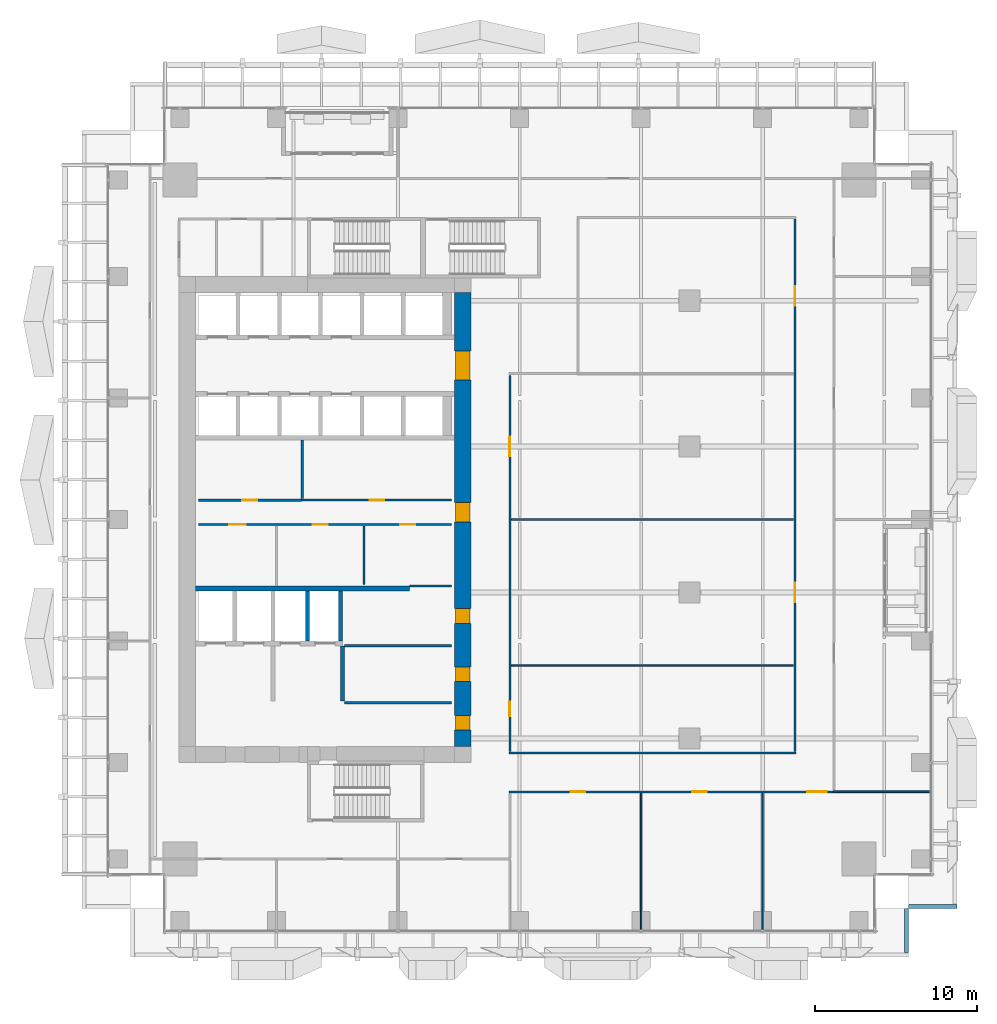
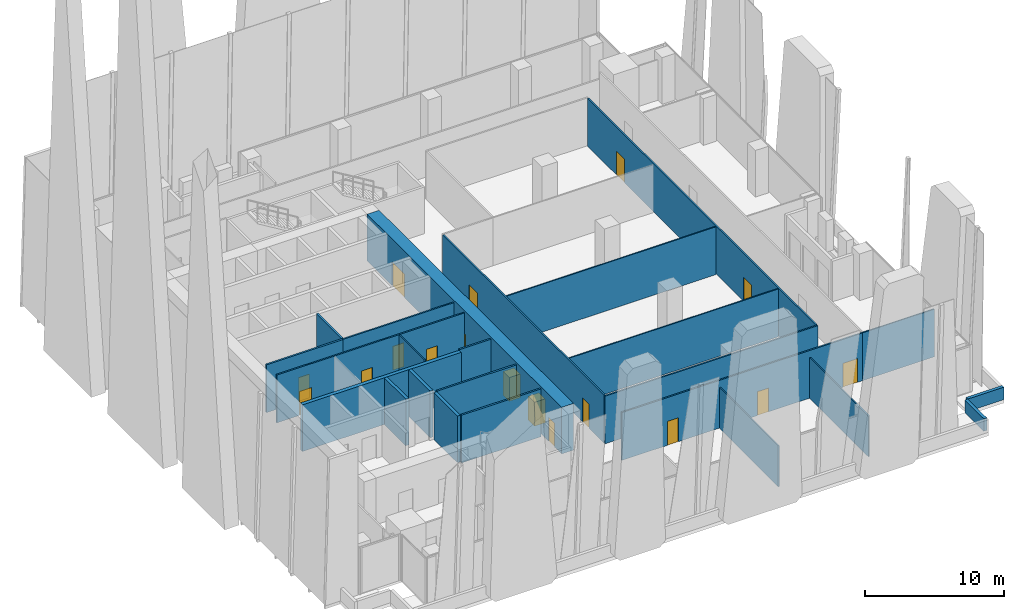
# One storey, part 29 of 37: 24 walls, 17 doors, 17 openings.
"""IFC4 building model written with IfcOpenShell, lengths in metres."""

from ifc_helpers import new_model, si_unit, direction, frame, frame_2d, origin, place, context, subcontext, project, spatial, rectangle, extrude, source, transform, mapped, material, layer, layer_set, type_object, element, fill, save


model = new_model("IFC4")

# Units and contexts
model_context = context("Model", 3, precision=1e-05, world=origin(), true_north=direction((0.0, 1.0)))
body_context = subcontext(model_context, "Body", "Model", "MODEL_VIEW")
ifc_project = project(units=[si_unit("LENGTHUNIT", "METRE"), si_unit("AREAUNIT", "SQUARE_METRE"), si_unit("VOLUMEUNIT", "CUBIC_METRE"), si_unit("PLANEANGLEUNIT", "RADIAN"), si_unit("MASSUNIT", "GRAM", prefix="KILO")], contexts=[model_context])

# Site, building, storey
site_placement = place(None, origin())
site = spatial("IfcSite", under=ifc_project, at=site_placement, CompositionType="ELEMENT")
building_placement = place(site_placement, origin())
building = spatial("IfcBuilding", under=site, at=building_placement, Name="Khomas Fold Tower", CompositionType="ELEMENT")
storey_placement = place(building_placement, frame((0.0, 0.0, 101.5)))
storey = spatial("IfcBuildingStorey", under=building, at=storey_placement, Name="L21", CompositionType="ELEMENT", Elevation=101.5)

# Wall, openings, doors
ifc_material_1 = material(Name="Concrete C70/85", Category="concrete")
ifc_layer_1 = layer(ifc_material_1, 1.0)
ifc_layer_set_1 = layer_set([ifc_layer_1], Name="Concrete C70/85")
wall_type_1 = type_object("IfcWallType", Name="Core wall 1000", PredefinedType="SHEAR", material=ifc_layer_set_1)
shared_shape_1 = source(origin(), body_context, "Body", "SweptSolid", [
    extrude(rectangle(XDim=28.0, YDim=1.0, at=frame_2d((14.0, 0.0))), origin(), (0.0, 0.0, 1.0), 4.10009765625),
])
wall_1_placement = place(storey_placement, frame((23.5, 13.0, 0.0), z_axis=(0.0, 0.0, 1.0), x_axis=(0.0, 1.0, 0.0)))
wall_1 = element("IfcWall", 1, at=wall_1_placement, inside=storey, type_object=wall_type_1, Name="Core wall CW-L-E-L21", PredefinedType="SHEAR", context=body_context, shape_type="MappedRepresentation", body=[
    mapped(shared_shape_1, transform((0.0, 0.0, 0.0))),
])
shared_shape_2 = source(origin(), body_context, "Body", "SweptSolid", [
    extrude(rectangle(XDim=1.800048828125, YDim=2.10009765625, at=frame_2d((0.89990234375, 1.050048828125))), frame((0.0, 0.510009765625, 0.0), z_axis=(0.0, -1.0, 0.0), x_axis=(1.0, 0.0, 0.0)), (0.0, 0.0, 1.0), 1.02001953125),
])
opening_1_placement = place(wall_1_placement, frame((22.60009765625, 0.0, 0.0)))
opening_1 = element("IfcOpeningElement", 2, at=opening_1_placement, cuts=wall_1, Name="Opening 0015", PredefinedType="OPENING", context=body_context, shape_type="MappedRepresentation", body=[
    mapped(shared_shape_2, transform((0.0, 0.0, 0.0))),
])
shared_shape_3 = source(origin(), body_context, "Body", "SweptSolid", [
    extrude(rectangle(XDim=1.199951171875, YDim=2.10009765625, at=frame_2d((0.60009765625, 1.050048828125))), frame((0.0, 0.510009765625, 0.0), z_axis=(0.0, -1.0, 0.0), x_axis=(1.0, 0.0, 0.0)), (0.0, 0.0, 1.0), 1.02001953125),
])
opening_2_placement = place(wall_1_placement, frame((13.85009765625, 0.0, 0.0)))
opening_2 = element("IfcOpeningElement", 3, at=opening_2_placement, cuts=wall_1, Name="Opening 0001", PredefinedType="OPENING", context=body_context, shape_type="MappedRepresentation", body=[
    mapped(shared_shape_3, transform((0.0, 0.0, 0.0))),
])
shared_shape_4 = source(origin(), body_context, "Body", "SweptSolid", [
    extrude(rectangle(XDim=0.89990234375, YDim=2.10009765625, at=frame_2d((0.449951171875, 1.050048828125))), frame((0.0, 0.510009765625, 0.0), z_axis=(0.0, -1.0, 0.0), x_axis=(1.0, 0.0, 0.0)), (0.0, 0.0, 1.0), 1.02001953125),
])
opening_3_placement = place(wall_1_placement, frame((1.0, 0.0, 0.0)))
opening_3 = element("IfcOpeningElement", 4, at=opening_3_placement, cuts=wall_1, Name="Opening 0008", PredefinedType="OPENING", context=body_context, shape_type="MappedRepresentation", body=[
    mapped(shared_shape_4, transform((0.0, 0.0, 0.0))),
])
opening_4_placement = place(wall_1_placement, frame((4.0, 0.0, 0.0)))
opening_4 = element("IfcOpeningElement", 5, at=opening_4_placement, cuts=wall_1, Name="Opening 0003", PredefinedType="OPENING", context=body_context, shape_type="MappedRepresentation", body=[
    mapped(shared_shape_4, transform((0.0, 0.0, 0.0))),
])
opening_5_placement = place(wall_1_placement, frame((7.60009765625, 0.0, 0.0)))
opening_5 = element("IfcOpeningElement", 6, at=opening_5_placement, cuts=wall_1, Name="Opening 0003", PredefinedType="OPENING", context=body_context, shape_type="MappedRepresentation", body=[
    mapped(shared_shape_4, transform((0.0, 0.0, 0.0))),
])
ifc_material_2 = material(Name="Steel door leaf", Category="steel")
door_type_1 = type_object("IfcDoorType", Name="Lobby door 1800x2100", OperationType="DOUBLE_DOOR_SINGLE_SWING", PredefinedType="DOOR", material=ifc_material_2)
shared_shape_5 = source(origin(), body_context, "Body", "SweptSolid", [
    extrude(rectangle(XDim=1.800048828125, YDim=2.10009765625, at=frame_2d((0.89990234375, 1.050048828125))), frame((0.0, 0.449951171875, 0.0), z_axis=(0.0, -1.0, 0.0), x_axis=(1.0, 0.0, 0.0)), (0.0, 0.0, 1.0), 0.89990234375),
])
door_1_placement = place(opening_1_placement, origin())
door_1 = element("IfcDoor", 7, at=door_1_placement, inside=storey, type_object=door_type_1, Name="Lobby door", OperationType="DOUBLE_DOOR_SINGLE_SWING", OverallHeight=2.10009765625, OverallWidth=1.800048828125, PredefinedType="DOOR", context=body_context, shape_type="MappedRepresentation", body=[
    mapped(shared_shape_5, transform((0.0, 0.0, 0.0))),
])
fill(opening_1, door_1)
ifc_material_3 = material(Name="Timber door leaf", Category="wood")
door_type_2 = type_object("IfcDoorType", Name="Door 1200x2100 right-hand", OperationType="SINGLE_SWING_RIGHT", PredefinedType="DOOR", material=ifc_material_3)
shared_shape_6 = source(origin(), body_context, "Body", "SweptSolid", [
    extrude(rectangle(XDim=1.199951171875, YDim=2.10009765625, at=frame_2d((0.60009765625, 1.050048828125))), frame((0.0, 0.449951171875, 0.0), z_axis=(0.0, -1.0, 0.0), x_axis=(1.0, 0.0, 0.0)), (0.0, 0.0, 1.0), 0.89990234375),
])
door_2_placement = place(opening_2_placement, origin())
door_2 = element("IfcDoor", 8, at=door_2_placement, inside=storey, type_object=door_type_2, Name="Door", OperationType="SINGLE_SWING_RIGHT", OverallHeight=2.10009765625, OverallWidth=1.199951171875, PredefinedType="DOOR", context=body_context, shape_type="MappedRepresentation", body=[
    mapped(shared_shape_6, transform((0.0, 0.0, 0.0))),
])
fill(opening_2, door_2)
ifc_material_4 = material(Name="Timber door leaf", Category="wood")
door_type_3 = type_object("IfcDoorType", Name="Door 900x2100 right-hand", OperationType="SINGLE_SWING_RIGHT", PredefinedType="DOOR", material=ifc_material_4)
shared_shape_7 = source(origin(), body_context, "Body", "SweptSolid", [
    extrude(rectangle(XDim=0.89990234375, YDim=2.10009765625, at=frame_2d((0.449951171875, 1.050048828125))), frame((0.0, 0.449951171875, 0.0), z_axis=(0.0, -1.0, 0.0), x_axis=(1.0, 0.0, 0.0)), (0.0, 0.0, 1.0), 0.89990234375),
])
door_3_placement = place(opening_3_placement, origin())
door_3 = element("IfcDoor", 9, at=door_3_placement, inside=storey, type_object=door_type_3, Name="Door", OperationType="SINGLE_SWING_RIGHT", OverallHeight=2.10009765625, OverallWidth=0.89990234375, PredefinedType="DOOR", context=body_context, shape_type="MappedRepresentation", body=[
    mapped(shared_shape_7, transform((0.0, 0.0, 0.0))),
])
fill(opening_3, door_3)
ifc_material_5 = material(Name="Steel door leaf", Category="steel")
door_type_4 = type_object("IfcDoorType", Name="Plant room door 900x2100 right-hand", OperationType="SINGLE_SWING_RIGHT", PredefinedType="DOOR", material=ifc_material_5)
door_4_placement = place(opening_4_placement, origin())
door_4 = element("IfcDoor", 10, at=door_4_placement, inside=storey, type_object=door_type_4, Name="Plant room door", OperationType="SINGLE_SWING_RIGHT", OverallHeight=2.10009765625, OverallWidth=0.89990234375, PredefinedType="DOOR", context=body_context, shape_type="MappedRepresentation", body=[
    mapped(shared_shape_7, transform((0.0, 0.0, 0.0))),
])
fill(opening_4, door_4)
door_5_placement = place(opening_5_placement, origin())
door_5 = element("IfcDoor", 11, at=door_5_placement, inside=storey, type_object=door_type_4, Name="Plant room door", OperationType="SINGLE_SWING_RIGHT", OverallHeight=2.10009765625, OverallWidth=0.89990234375, PredefinedType="DOOR", context=body_context, shape_type="MappedRepresentation", body=[
    mapped(shared_shape_7, transform((0.0, 0.0, 0.0))),
])
fill(opening_5, door_5)

# Walls
ifc_material_6 = material(Name="Concrete C50/60", Category="concrete")
ifc_layer_2 = layer(ifc_material_6, 0.300048828125)
ifc_layer_set_2 = layer_set([ifc_layer_2], Name="Concrete C50/60")
wall_type_2 = type_object("IfcWallType", Name="Shaft wall 300", PredefinedType="STANDARD", material=ifc_layer_set_2)
shared_shape_8 = source(origin(), body_context, "Body", "SweptSolid", [
    extrude(rectangle(XDim=13.199951171875, YDim=0.300048828125, at=frame_2d((6.60009765625, 0.0))), origin(), (0.0, 0.0, 1.0), 4.10009765625),
])
wall_2_placement = place(storey_placement, frame((7.0, 22.75, 0.0), z_axis=(0.0, 0.0, 1.0), x_axis=(1.0, 0.0, 0.0)))
element("IfcWall", 12, at=wall_2_placement, inside=storey, type_object=wall_type_2, Name="Core wall SW-FS-B", PredefinedType="STANDARD", context=body_context, shape_type="MappedRepresentation", body=[
    mapped(shared_shape_8, transform((0.0, 0.0, 0.0))),
])
ifc_material_7 = material(Name="Concrete C50/60", Category="concrete")
ifc_layer_3 = layer(ifc_material_7, 0.25)
ifc_layer_set_3 = layer_set([ifc_layer_3], Name="Concrete C50/60")
wall_type_3 = type_object("IfcWallType", Name="Shaft wall 250", PredefinedType="STANDARD", material=ifc_layer_set_3)
shared_shape_9 = source(origin(), body_context, "Body", "SweptSolid", [
    extrude(rectangle(XDim=3.10009765625, YDim=0.25, at=frame_2d((1.550048828125, 0.0))), origin(), (0.0, 0.0, 1.0), 4.10009765625),
])
for number, where, z_axis, x_axis, name in (
    (13, (13.925048828125, 19.5, 0.0), (0.0, 0.0, 1.0), (0.0, 1.0, 0.0), "Core wall SW-FS-P3"),
    (14, (15.949951171875, 19.5, 0.0), (0.0, 0.0, 1.0), (0.0, 1.0, 0.0), "Core wall SW-FS-PE"),
):
    element("IfcWall", number, at=place(storey_placement, frame(where, z_axis=z_axis, x_axis=x_axis)), inside=storey, type_object=wall_type_3, Name=name, PredefinedType="STANDARD", context=body_context, shape_type="MappedRepresentation", body=[
        mapped(shared_shape_9, transform((0.0, 0.0, 0.0))),
    ])
ifc_material_8 = material(Name="Concrete C50/60", Category="concrete")
ifc_layer_4 = layer(ifc_material_8, 0.25)
ifc_layer_set_4 = layer_set([ifc_layer_4], Name="Concrete C50/60")
wall_type_4 = type_object("IfcWallType", Name="Lobby wall 250", PredefinedType="STANDARD", material=ifc_layer_set_4)
shared_shape_10 = source(origin(), body_context, "Body", "SweptSolid", [
    extrude(rectangle(XDim=3.39990234375, YDim=0.25, at=frame_2d((1.699951171875, 0.0))), origin(), (0.0, 0.0, 1.0), 4.10009765625),
])
wall_3_placement = place(storey_placement, frame((16.074951171875, 15.800048828125, 0.0), z_axis=(0.0, 0.0, 1.0), x_axis=(0.0, 1.0, 0.0)))
element("IfcWall", 15, at=wall_3_placement, inside=storey, type_object=wall_type_4, Name="Core wall SW-FS-LOB-E", PredefinedType="STANDARD", context=body_context, shape_type="MappedRepresentation", body=[
    mapped(shared_shape_10, transform((0.0, 0.0, 0.0))),
])
ifc_material_9 = material(Name="Concrete C40/50", Category="concrete")
ifc_layer_5 = layer(ifc_material_9, 0.25)
ifc_layer_set_5 = layer_set([ifc_layer_5], Name="Concrete C40/50")
wall_type_5 = type_object("IfcWallType", Name="Setback roof parapet 250", PredefinedType="PARAPET", material=ifc_layer_set_5)
shared_shape_11 = source(origin(), body_context, "Body", "SweptSolid", [
    extrude(rectangle(XDim=3.0, YDim=0.25, at=frame_2d((1.5, 0.0))), origin(), (0.0, 0.0, 1.0), 1.10009765625),
])
wall_4_placement = place(storey_placement, frame((51.0, 3.125, 0.0), z_axis=(0.0, 0.0, 1.0), x_axis=(1.0, 0.0, 0.0)))
element("IfcWall", 16, at=wall_4_placement, inside=storey, type_object=wall_type_5, Name="Setback roof parapet", PredefinedType="SOLIDWALL", context=body_context, shape_type="MappedRepresentation", body=[
    mapped(shared_shape_11, transform((0.0, 0.0, 0.0))),
])
shared_shape_12 = source(origin(), body_context, "Body", "SweptSolid", [
    extrude(rectangle(XDim=2.72998046875, YDim=0.25, at=frame_2d((1.364990234375, 0.0))), origin(), (0.0, 0.0, 1.0), 1.10009765625),
])
wall_5_placement = place(storey_placement, frame((50.875, 0.27001953125, 0.0), z_axis=(0.0, 0.0, 1.0), x_axis=(0.0, 1.0, 0.0)))
element("IfcWall", 17, at=wall_5_placement, inside=storey, type_object=wall_type_5, Name="Setback roof parapet", PredefinedType="SOLIDWALL", context=body_context, shape_type="MappedRepresentation", body=[
    mapped(shared_shape_12, transform((0.0, 0.0, 0.0))),
])

# Wall, openings, doors
ifc_material_10 = material(Name="Plasterboard partition")
ifc_layer_6 = layer(ifc_material_10, 0.125)
ifc_layer_set_6 = layer_set([ifc_layer_6], Name="Plasterboard partition")
wall_type_6 = type_object("IfcWallType", Name="Partition PW2 125", PredefinedType="PARTITIONING", material=ifc_layer_set_6)
shared_shape_13 = source(origin(), body_context, "Body", "SweptSolid", [
    extrude(rectangle(XDim=15.60009765625, YDim=0.125, at=frame_2d((7.800048828125, 0.0))), origin(), (0.0, 0.0, 1.0), 4.199951171875),
])
wall_6_placement = place(storey_placement, frame((7.199951171875, 26.699951171875, 0.0), z_axis=(0.0, 0.0, 1.0), x_axis=(1.0, 0.0, 0.0)))
wall_6 = element("IfcWall", 18, at=wall_6_placement, inside=storey, type_object=wall_type_6, Name="Partition", PredefinedType="PARTITIONING", context=body_context, shape_type="MappedRepresentation", body=[
    mapped(shared_shape_13, transform((0.0, 0.0, 0.0))),
])
shared_shape_14 = source(origin(), body_context, "Body", "SweptSolid", [
    extrude(rectangle(XDim=1.0, YDim=2.10009765625, at=frame_2d((0.5, 1.050048828125))), frame((0.0, 0.072509765625, 0.0), z_axis=(0.0, -1.0, 0.0), x_axis=(1.0, 0.0, 0.0)), (0.0, 0.0, 1.0), 0.14501953125),
])
opening_6_placement = place(wall_6_placement, frame((1.89990234375, 0.0, 0.0)))
opening_6 = element("IfcOpeningElement", 19, at=opening_6_placement, cuts=wall_6, Name="Opening 0014", PredefinedType="OPENING", context=body_context, shape_type="MappedRepresentation", body=[
    mapped(shared_shape_14, transform((0.0, 0.0, 0.0))),
])
shared_shape_15 = source(origin(), body_context, "Body", "SweptSolid", [
    extrude(rectangle(XDim=0.89990234375, YDim=2.10009765625, at=frame_2d((0.449951171875, 1.050048828125))), frame((0.0, 0.072509765625, 0.0), z_axis=(0.0, -1.0, 0.0), x_axis=(1.0, 0.0, 0.0)), (0.0, 0.0, 1.0), 0.14501953125),
])
opening_7_placement = place(wall_6_placement, frame((7.050048828125, 0.0, 0.0)))
opening_7 = element("IfcOpeningElement", 20, at=opening_7_placement, cuts=wall_6, Name="Opening 0004", PredefinedType="OPENING", context=body_context, shape_type="MappedRepresentation", body=[
    mapped(shared_shape_15, transform((0.0, 0.0, 0.0))),
])
opening_8_placement = place(wall_6_placement, frame((12.449951171875, 0.0, 0.0)))
opening_8 = element("IfcOpeningElement", 21, at=opening_8_placement, cuts=wall_6, Name="Opening 0005", PredefinedType="OPENING", context=body_context, shape_type="MappedRepresentation", body=[
    mapped(shared_shape_15, transform((0.0, 0.0, 0.0))),
])
ifc_material_11 = material(Name="Timber door leaf", Category="wood")
door_type_5 = type_object("IfcDoorType", Name="WC door 900x2100 right-hand", OperationType="SINGLE_SWING_RIGHT", PredefinedType="DOOR", material=ifc_material_11)
shared_shape_16 = source(origin(), body_context, "Body", "SweptSolid", [
    extrude(rectangle(XDim=0.89990234375, YDim=2.10009765625, at=frame_2d((0.449951171875, 1.050048828125))), frame((0.0, 0.02490234375, 0.0), z_axis=(0.0, -1.0, 0.0), x_axis=(1.0, 0.0, 0.0)), (0.0, 0.0, 1.0), 0.050048828125),
])
door_6_placement = place(opening_7_placement, origin())
door_6 = element("IfcDoor", 22, at=door_6_placement, inside=storey, type_object=door_type_5, Name="WC door", OperationType="SINGLE_SWING_RIGHT", OverallHeight=2.10009765625, OverallWidth=0.89990234375, PredefinedType="DOOR", context=body_context, shape_type="MappedRepresentation", body=[
    mapped(shared_shape_16, transform((0.0, 0.0, 0.0))),
])
fill(opening_7, door_6)
ifc_material_12 = material(Name="Timber door leaf", Category="wood")
door_type_6 = type_object("IfcDoorType", Name="WC door 900x2100 left-hand", OperationType="SINGLE_SWING_LEFT", PredefinedType="DOOR", material=ifc_material_12)
door_7_placement = place(opening_8_placement, origin())
door_7 = element("IfcDoor", 23, at=door_7_placement, inside=storey, type_object=door_type_6, Name="WC door", OperationType="SINGLE_SWING_LEFT", OverallHeight=2.10009765625, OverallWidth=0.89990234375, PredefinedType="DOOR", context=body_context, shape_type="MappedRepresentation", body=[
    mapped(shared_shape_16, transform((0.0, 0.0, 0.0))),
])
fill(opening_8, door_7)
ifc_material_13 = material(Name="Timber door leaf", Category="wood")
door_type_7 = type_object("IfcDoorType", Name="WC door 1000x2100 left-hand", OperationType="SINGLE_SWING_LEFT", PredefinedType="DOOR", material=ifc_material_13)
shared_shape_17 = source(origin(), body_context, "Body", "SweptSolid", [
    extrude(rectangle(XDim=1.0, YDim=2.10009765625, at=frame_2d((0.5, 1.050048828125))), frame((0.0, 0.02490234375, 0.0), z_axis=(0.0, -1.0, 0.0), x_axis=(1.0, 0.0, 0.0)), (0.0, 0.0, 1.0), 0.050048828125),
])
door_8_placement = place(opening_6_placement, origin())
door_8 = element("IfcDoor", 24, at=door_8_placement, inside=storey, type_object=door_type_7, Name="WC door", OperationType="SINGLE_SWING_LEFT", OverallHeight=2.10009765625, OverallWidth=1.0, PredefinedType="DOOR", context=body_context, shape_type="MappedRepresentation", body=[
    mapped(shared_shape_17, transform((0.0, 0.0, 0.0))),
])
fill(opening_6, door_8)

# Walls
ifc_material_14 = material(Name="Plasterboard partition")
ifc_layer_7 = layer(ifc_material_14, 0.10009765625)
ifc_layer_set_7 = layer_set([ifc_layer_7], Name="Plasterboard partition")
wall_type_7 = type_object("IfcWallType", Name="Partition PW1 100", PredefinedType="PARTITIONING", material=ifc_layer_set_7)
shared_shape_18 = source(origin(), body_context, "Body", "SweptSolid", [
    extrude(rectangle(XDim=8.4501953125, YDim=0.10009765625, at=frame_2d((4.22509765625, 0.0))), origin(), (0.0, 0.0, 1.0), 3.60009765625),
])
for number, where, z_axis, x_axis, name in (
    (25, (34.5, 1.64990234375, 0.0), (0.0, 0.0, 1.0), (0.0, 1.0, 0.0), "Partition"),
    (26, (42.0, 1.64990234375, 0.0), (0.0, 0.0, 1.0), (0.0, 1.0, 0.0), "Partition"),
):
    element("IfcWall", number, at=place(storey_placement, frame(where, z_axis=z_axis, x_axis=x_axis)), inside=storey, type_object=wall_type_7, Name=name, PredefinedType="PARTITIONING", context=body_context, shape_type="MappedRepresentation", body=[
        mapped(shared_shape_18, transform((0.0, 0.0, 0.0))),
    ])

# Wall, openings, doors
shared_shape_19 = source(origin(), body_context, "Body", "SweptSolid", [
    extrude(rectangle(XDim=20.0, YDim=0.125, at=frame_2d((10.0, 0.0))), origin(), (0.0, 0.0, 1.0), 4.199951171875),
])
wall_7_placement = place(storey_placement, frame((26.35009765625, 10.199951171875, 0.0), z_axis=(0.0, 0.0, 1.0), x_axis=(1.0, 0.0, 0.0)))
wall_7 = element("IfcWall", 27, at=wall_7_placement, inside=storey, type_object=wall_type_6, Name="Partition", PredefinedType="PARTITIONING", context=body_context, shape_type="MappedRepresentation", body=[
    mapped(shared_shape_19, transform((0.0, 0.0, 0.0))),
])
opening_9_placement = place(wall_7_placement, frame((3.800048828125, 0.0, 0.0)))
opening_9 = element("IfcOpeningElement", 28, at=opening_9_placement, cuts=wall_7, Name="Opening 0008", PredefinedType="OPENING", context=body_context, shape_type="MappedRepresentation", body=[
    mapped(shared_shape_15, transform((0.0, 0.0, 0.0))),
])
opening_10_placement = place(wall_7_placement, frame((11.300048828125, 0.0, 0.0)))
opening_10 = element("IfcOpeningElement", 29, at=opening_10_placement, cuts=wall_7, Name="Opening 0007", PredefinedType="OPENING", context=body_context, shape_type="MappedRepresentation", body=[
    mapped(shared_shape_15, transform((0.0, 0.0, 0.0))),
])
shared_shape_20 = source(origin(), body_context, "Body", "SweptSolid", [
    extrude(rectangle(XDim=1.199951171875, YDim=2.10009765625, at=frame_2d((0.60009765625, 1.050048828125))), frame((0.0, 0.072509765625, 0.0), z_axis=(0.0, -1.0, 0.0), x_axis=(1.0, 0.0, 0.0)), (0.0, 0.0, 1.0), 0.14501953125),
])
opening_11_placement = place(wall_7_placement, frame((18.39990234375, 0.0, 0.0)))
opening_11 = element("IfcOpeningElement", 30, at=opening_11_placement, cuts=wall_7, Name="Opening 0001", PredefinedType="OPENING", context=body_context, shape_type="MappedRepresentation", body=[
    mapped(shared_shape_20, transform((0.0, 0.0, 0.0))),
])
door_9_placement = place(opening_9_placement, origin())
door_9 = element("IfcDoor", 31, at=door_9_placement, inside=storey, type_object=door_type_3, Name="Door", OperationType="SINGLE_SWING_RIGHT", OverallHeight=2.10009765625, OverallWidth=0.89990234375, PredefinedType="DOOR", context=body_context, shape_type="MappedRepresentation", body=[
    mapped(shared_shape_16, transform((0.0, 0.0, 0.0))),
])
fill(opening_9, door_9)
ifc_material_15 = material(Name="Timber door leaf", Category="wood")
door_type_8 = type_object("IfcDoorType", Name="Door 900x2100 left-hand", OperationType="SINGLE_SWING_LEFT", PredefinedType="DOOR", material=ifc_material_15)
door_10_placement = place(opening_10_placement, origin())
door_10 = element("IfcDoor", 32, at=door_10_placement, inside=storey, type_object=door_type_8, Name="Door", OperationType="SINGLE_SWING_LEFT", OverallHeight=2.10009765625, OverallWidth=0.89990234375, PredefinedType="DOOR", context=body_context, shape_type="MappedRepresentation", body=[
    mapped(shared_shape_16, transform((0.0, 0.0, 0.0))),
])
fill(opening_10, door_10)
shared_shape_21 = source(origin(), body_context, "Body", "SweptSolid", [
    extrude(rectangle(XDim=1.199951171875, YDim=2.10009765625, at=frame_2d((0.60009765625, 1.050048828125))), frame((0.0, 0.02490234375, 0.0), z_axis=(0.0, -1.0, 0.0), x_axis=(1.0, 0.0, 0.0)), (0.0, 0.0, 1.0), 0.050048828125),
])
door_11_placement = place(opening_11_placement, origin())
door_11 = element("IfcDoor", 33, at=door_11_placement, inside=storey, type_object=door_type_2, Name="Door", OperationType="SINGLE_SWING_RIGHT", OverallHeight=2.10009765625, OverallWidth=1.199951171875, PredefinedType="DOOR", context=body_context, shape_type="MappedRepresentation", body=[
    mapped(shared_shape_21, transform((0.0, 0.0, 0.0))),
])
fill(opening_11, door_11)

# Walls
shared_shape_22 = source(origin(), body_context, "Body", "SweptSolid", [
    extrude(rectangle(XDim=6.0, YDim=0.10009765625, at=frame_2d((3.0, 0.0))), origin(), (0.0, 0.0, 1.0), 4.199951171875),
])
wall_8_placement = place(storey_placement, frame((46.35009765625, 10.199951171875, 0.0), z_axis=(0.0, 0.0, 1.0), x_axis=(1.0, 0.0, 0.0)))
element("IfcWall", 34, at=wall_8_placement, inside=storey, type_object=wall_type_7, Name="Partition", PredefinedType="PARTITIONING", context=body_context, shape_type="MappedRepresentation", body=[
    mapped(shared_shape_22, transform((0.0, 0.0, 0.0))),
])
shared_shape_23 = source(origin(), body_context, "Body", "SweptSolid", [
    extrude(rectangle(XDim=17.699951171875, YDim=0.125, at=frame_2d((8.85009765625, 0.0))), origin(), (0.0, 0.0, 1.0), 4.199951171875),
])
wall_9_placement = place(storey_placement, frame((26.35009765625, 12.60009765625, 0.0), z_axis=(0.0, 0.0, 1.0), x_axis=(1.0, 0.0, 0.0)))
element("IfcWall", 35, at=wall_9_placement, inside=storey, type_object=wall_type_6, Name="Partition", PredefinedType="PARTITIONING", context=body_context, shape_type="MappedRepresentation", body=[
    mapped(shared_shape_23, transform((0.0, 0.0, 0.0))),
])

# Wall, openings, doors
shared_shape_24 = source(origin(), body_context, "Body", "SweptSolid", [
    extrude(rectangle(XDim=23.199951171875, YDim=0.125, at=frame_2d((11.60009765625, 0.0))), origin(), (0.0, 0.0, 1.0), 4.199951171875),
])
wall_10_placement = place(storey_placement, frame((26.39990234375, 12.699951171875, 0.0), z_axis=(0.0, 0.0, 1.0), x_axis=(0.0, 1.0, 0.0)))
wall_10 = element("IfcWall", 36, at=wall_10_placement, inside=storey, type_object=wall_type_6, Name="Partition", PredefinedType="PARTITIONING", context=body_context, shape_type="MappedRepresentation", body=[
    mapped(shared_shape_24, transform((0.0, 0.0, 0.0))),
])
opening_12_placement = place(wall_10_placement, frame((2.14990234375, 0.0, 0.0)))
opening_12 = element("IfcOpeningElement", 37, at=opening_12_placement, cuts=wall_10, Name="Opening 0007", PredefinedType="OPENING", context=body_context, shape_type="MappedRepresentation", body=[
    mapped(shared_shape_15, transform((0.0, 0.0, 0.0))),
])
opening_13_placement = place(wall_10_placement, frame((18.199951171875, 0.0, 0.0)))
opening_13 = element("IfcOpeningElement", 38, at=opening_13_placement, cuts=wall_10, Name="Opening 0001", PredefinedType="OPENING", context=body_context, shape_type="MappedRepresentation", body=[
    mapped(shared_shape_20, transform((0.0, 0.0, 0.0))),
])
door_12_placement = place(opening_12_placement, origin())
door_12 = element("IfcDoor", 39, at=door_12_placement, inside=storey, type_object=door_type_8, Name="Door", OperationType="SINGLE_SWING_LEFT", OverallHeight=2.10009765625, OverallWidth=0.89990234375, PredefinedType="DOOR", context=body_context, shape_type="MappedRepresentation", body=[
    mapped(shared_shape_16, transform((0.0, 0.0, 0.0))),
])
fill(opening_12, door_12)
door_13_placement = place(opening_13_placement, origin())
door_13 = element("IfcDoor", 40, at=door_13_placement, inside=storey, type_object=door_type_2, Name="Door", OperationType="SINGLE_SWING_RIGHT", OverallHeight=2.10009765625, OverallWidth=1.199951171875, PredefinedType="DOOR", context=body_context, shape_type="MappedRepresentation", body=[
    mapped(shared_shape_21, transform((0.0, 0.0, 0.0))),
])
fill(opening_13, door_13)

shared_shape_25 = source(origin(), body_context, "Body", "SweptSolid", [
    extrude(rectangle(XDim=32.85009765625, YDim=0.125, at=frame_2d((16.425048828125, 0.0))), origin(), (0.0, 0.0, 1.0), 4.199951171875),
])
wall_11_placement = place(storey_placement, frame((44.0, 12.699951171875, 0.0), z_axis=(0.0, 0.0, 1.0), x_axis=(0.0, 1.0, 0.0)))
wall_11 = element("IfcWall", 41, at=wall_11_placement, inside=storey, type_object=wall_type_6, Name="Partition", PredefinedType="PARTITIONING", context=body_context, shape_type="MappedRepresentation", body=[
    mapped(shared_shape_25, transform((0.0, 0.0, 0.0))),
])
opening_14_placement = place(wall_11_placement, frame((9.199951171875, 0.0, 0.0)))
opening_14 = element("IfcOpeningElement", 42, at=opening_14_placement, cuts=wall_11, Name="Opening 0013", PredefinedType="OPENING", context=body_context, shape_type="MappedRepresentation", body=[
    mapped(shared_shape_20, transform((0.0, 0.0, 0.0))),
])
opening_15_placement = place(wall_11_placement, frame((27.5, 0.0, 0.0)))
opening_15 = element("IfcOpeningElement", 43, at=opening_15_placement, cuts=wall_11, Name="Opening 0013", PredefinedType="OPENING", context=body_context, shape_type="MappedRepresentation", body=[
    mapped(shared_shape_20, transform((0.0, 0.0, 0.0))),
])
ifc_material_16 = material(Name="Timber door leaf", Category="wood")
door_type_9 = type_object("IfcDoorType", Name="Door 1200x2100 left-hand", OperationType="SINGLE_SWING_LEFT", PredefinedType="DOOR", material=ifc_material_16)
door_14_placement = place(opening_14_placement, origin())
door_14 = element("IfcDoor", 44, at=door_14_placement, inside=storey, type_object=door_type_9, Name="Door", OperationType="SINGLE_SWING_LEFT", OverallHeight=2.10009765625, OverallWidth=1.199951171875, PredefinedType="DOOR", context=body_context, shape_type="MappedRepresentation", body=[
    mapped(shared_shape_21, transform((0.0, 0.0, 0.0))),
])
fill(opening_14, door_14)
door_15_placement = place(opening_15_placement, origin())
door_15 = element("IfcDoor", 45, at=door_15_placement, inside=storey, type_object=door_type_9, Name="Door", OperationType="SINGLE_SWING_LEFT", OverallHeight=2.10009765625, OverallWidth=1.199951171875, PredefinedType="DOOR", context=body_context, shape_type="MappedRepresentation", body=[
    mapped(shared_shape_21, transform((0.0, 0.0, 0.0))),
])
fill(opening_15, door_15)

# Walls
ifc_material_17 = material(Name="Plasterboard fire partition")
ifc_layer_8 = layer(ifc_material_17, 0.14990234375)
ifc_layer_set_8 = layer_set([ifc_layer_8], Name="Plasterboard fire partition")
wall_type_8 = type_object("IfcWallType", Name="Plant room wall PW3 150", PredefinedType="PARTITIONING", material=ifc_layer_set_8)
shared_shape_26 = source(origin(), body_context, "Body", "SweptSolid", [
    extrude(rectangle(XDim=6.60009765625, YDim=0.14990234375, at=frame_2d((3.300048828125, 0.0))), origin(), (0.0, 0.0, 1.0), 4.199951171875),
])
for number, where, z_axis, x_axis, name in (
    (46, (16.199951171875, 15.699951171875, 0.0), (0.0, 0.0, 1.0), (1.0, 0.0, 0.0), "Plant room wall"),
    (47, (16.199951171875, 19.199951171875, 0.0), (0.0, 0.0, 1.0), (1.0, 0.0, 0.0), "Plant room wall"),
):
    element("IfcWall", number, at=place(storey_placement, frame(where, z_axis=z_axis, x_axis=x_axis)), inside=storey, type_object=wall_type_8, Name=name, PredefinedType="PARTITIONING", context=body_context, shape_type="MappedRepresentation", body=[
        mapped(shared_shape_26, transform((0.0, 0.0, 0.0))),
    ])
shared_shape_27 = source(origin(), body_context, "Body", "SweptSolid", [
    extrude(rectangle(XDim=17.39990234375, YDim=0.10009765625, at=frame_2d((8.699951171875, 0.0))), origin(), (0.0, 0.0, 1.0), 4.199951171875),
])
for number, where, z_axis, x_axis, name in (
    (48, (26.5, 18.0, 0.0), (0.0, 0.0, 1.0), (1.0, 0.0, 0.0), "Partition"),
    (49, (26.5, 27.0, 0.0), (0.0, 0.0, 1.0), (1.0, 0.0, 0.0), "Partition"),
):
    element("IfcWall", number, at=place(storey_placement, frame(where, z_axis=z_axis, x_axis=x_axis)), inside=storey, type_object=wall_type_7, Name=name, PredefinedType="PARTITIONING", context=body_context, shape_type="MappedRepresentation", body=[
        mapped(shared_shape_27, transform((0.0, 0.0, 0.0))),
    ])
shared_shape_28 = source(origin(), body_context, "Body", "SweptSolid", [
    extrude(rectangle(XDim=2.60009765625, YDim=0.14990234375, at=frame_2d((1.300048828125, 0.0))), origin(), (0.0, 0.0, 1.0), 4.199951171875),
])
wall_12_placement = place(storey_placement, frame((20.199951171875, 22.89990234375, 0.0), z_axis=(0.0, 0.0, 1.0), x_axis=(1.0, 0.0, 0.0)))
element("IfcWall", 50, at=wall_12_placement, inside=storey, type_object=wall_type_8, Name="Plant room wall", PredefinedType="PARTITIONING", context=body_context, shape_type="MappedRepresentation", body=[
    mapped(shared_shape_28, transform((0.0, 0.0, 0.0))),
])
shared_shape_29 = source(origin(), body_context, "Body", "SweptSolid", [
    extrude(rectangle(XDim=3.60009765625, YDim=0.10009765625, at=frame_2d((1.800048828125, 0.0))), origin(), (0.0, 0.0, 1.0), 4.199951171875),
])
wall_13_placement = place(storey_placement, frame((17.39990234375, 23.0, 0.0), z_axis=(0.0, 0.0, 1.0), x_axis=(0.0, 1.0, 0.0)))
element("IfcWall", 51, at=wall_13_placement, inside=storey, type_object=wall_type_7, Name="Partition", PredefinedType="PARTITIONING", context=body_context, shape_type="MappedRepresentation", body=[
    mapped(shared_shape_29, transform((0.0, 0.0, 0.0))),
])

# Wall, opening, door
shared_shape_30 = source(origin(), body_context, "Body", "SweptSolid", [
    extrude(rectangle(XDim=6.35009765625, YDim=0.14990234375, at=frame_2d((3.175048828125, 0.0))), origin(), (0.0, 0.0, 1.0), 4.199951171875),
])
wall_14_placement = place(storey_placement, frame((7.199951171875, 28.199951171875, 0.0), z_axis=(0.0, 0.0, 1.0), x_axis=(1.0, 0.0, 0.0)))
wall_14 = element("IfcWall", 52, at=wall_14_placement, inside=storey, type_object=wall_type_8, Name="Plant room wall", PredefinedType="PARTITIONING", context=body_context, shape_type="MappedRepresentation", body=[
    mapped(shared_shape_30, transform((0.0, 0.0, 0.0))),
])
shared_shape_31 = source(origin(), body_context, "Body", "SweptSolid", [
    extrude(rectangle(XDim=0.89990234375, YDim=2.10009765625, at=frame_2d((0.449951171875, 1.050048828125))), frame((0.0, 0.0849609375, 0.0), z_axis=(0.0, -1.0, 0.0), x_axis=(1.0, 0.0, 0.0)), (0.0, 0.0, 1.0), 0.169921875),
])
opening_16_placement = place(wall_14_placement, frame((2.699951171875, 0.0, 0.0)))
opening_16 = element("IfcOpeningElement", 53, at=opening_16_placement, cuts=wall_14, Name="Opening 0003", PredefinedType="OPENING", context=body_context, shape_type="MappedRepresentation", body=[
    mapped(shared_shape_31, transform((0.0, 0.0, 0.0))),
])
door_16_placement = place(opening_16_placement, origin())
door_16 = element("IfcDoor", 54, at=door_16_placement, inside=storey, type_object=door_type_4, Name="Plant room door", OperationType="SINGLE_SWING_RIGHT", OverallHeight=2.10009765625, OverallWidth=0.89990234375, PredefinedType="DOOR", context=body_context, shape_type="MappedRepresentation", body=[
    mapped(shared_shape_16, transform((0.0, 0.0, 0.0))),
])
fill(opening_16, door_16)

shared_shape_32 = source(origin(), body_context, "Body", "SweptSolid", [
    extrude(rectangle(XDim=9.25, YDim=0.125, at=frame_2d((4.625, 0.0))), origin(), (0.0, 0.0, 1.0), 4.199951171875),
])
wall_15_placement = place(storey_placement, frame((13.550048828125, 28.199951171875, 0.0), z_axis=(0.0, 0.0, 1.0), x_axis=(1.0, 0.0, 0.0)))
wall_15 = element("IfcWall", 55, at=wall_15_placement, inside=storey, type_object=wall_type_6, Name="Partition", PredefinedType="PARTITIONING", context=body_context, shape_type="MappedRepresentation", body=[
    mapped(shared_shape_32, transform((0.0, 0.0, 0.0))),
])
opening_17_placement = place(wall_15_placement, frame((4.199951171875, 0.0, 0.0)))
opening_17 = element("IfcOpeningElement", 56, at=opening_17_placement, cuts=wall_15, Name="Opening 0007", PredefinedType="OPENING", context=body_context, shape_type="MappedRepresentation", body=[
    mapped(shared_shape_15, transform((0.0, 0.0, 0.0))),
])
door_17_placement = place(opening_17_placement, origin())
door_17 = element("IfcDoor", 57, at=door_17_placement, inside=storey, type_object=door_type_8, Name="Door", OperationType="SINGLE_SWING_LEFT", OverallHeight=2.10009765625, OverallWidth=0.89990234375, PredefinedType="DOOR", context=body_context, shape_type="MappedRepresentation", body=[
    mapped(shared_shape_16, transform((0.0, 0.0, 0.0))),
])
fill(opening_17, door_17)

# Wall
shared_shape_33 = source(origin(), body_context, "Body", "SweptSolid", [
    extrude(rectangle(XDim=3.599853515625, YDim=0.14990234375, at=frame_2d((1.7998046875, 0.0))), origin(), (0.0, 0.0, 1.0), 4.199951171875),
])
wall_16_placement = place(storey_placement, frame((13.60009765625, 28.300048828125, 0.0), z_axis=(0.0, 0.0, 1.0), x_axis=(0.0, 1.0, 0.0)))
element("IfcWall", 58, at=wall_16_placement, inside=storey, type_object=wall_type_8, Name="Plant room wall", PredefinedType="PARTITIONING", context=body_context, shape_type="MappedRepresentation", body=[
    mapped(shared_shape_33, transform((0.0, 0.0, 0.0))),
])

save(model, "model.ifc")
